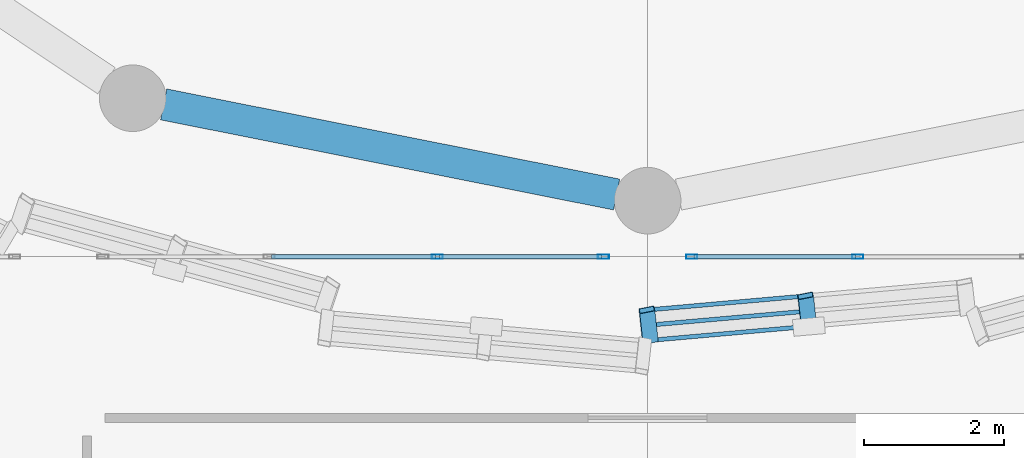
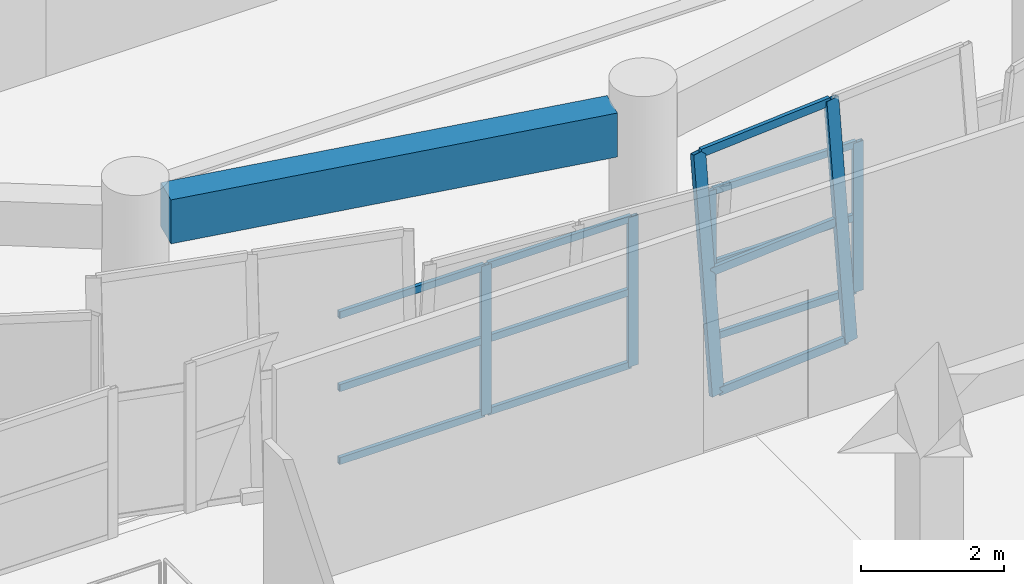
# One storey, part 24 of 71: 18 members, 1 beam, 3 elements without a shape of their own.
"""IFC4 building model written with IfcOpenShell, lengths in metres."""

from ifc_helpers import new_model, si_unit, direction, frame, origin, origin_2d, place, context, subcontext, project, spatial, rectangle, hollow_rectangle, extrude, material, material_profile, profile_set, type_object, element, aggregate, save


model = new_model("IFC4")

# Units and contexts
model_context = context("Model", 3, precision=1e-05, world=origin(), true_north=direction((0.0, 1.0)))
body_context = subcontext(model_context, "Body", "Model", "MODEL_VIEW")
ifc_project = project(units=[si_unit("LENGTHUNIT", "METRE"), si_unit("AREAUNIT", "SQUARE_METRE"), si_unit("VOLUMEUNIT", "CUBIC_METRE"), si_unit("PLANEANGLEUNIT", "RADIAN"), si_unit("MASSUNIT", "GRAM", prefix="KILO")], contexts=[model_context])

# Site, building, storey
site_placement = place(None, origin())
site = spatial("IfcSite", under=ifc_project, at=site_placement, CompositionType="ELEMENT")
building_placement = place(site_placement, origin())
building = spatial("IfcBuilding", under=site, at=building_placement, Name="Korsvaeld Concert Hall", CompositionType="ELEMENT")
storey_placement = place(building_placement, frame((0.0, 0.0, 4.800048828125)))
storey = spatial("IfcBuildingStorey", under=building, at=storey_placement, Name="L01", CompositionType="ELEMENT", Elevation=4.800048828125)

# Beam
ifc_material_1 = material(Name="Concrete C35/45", Category="concrete")
ifc_material_profile_1 = material_profile(ifc_material_1, rectangle(XDim=0.449951171875, YDim=0.75, at=origin_2d()), Name="RC 450x750")
ifc_profile_set_1 = profile_set([ifc_material_profile_1], Name="Concrete C35/45")
beam_type = type_object("IfcBeamType", Name="BM-RC-450x750", PredefinedType="T_BEAM", material=ifc_profile_set_1)
beam_placement = place(storey_placement, frame((77.093994140625, 45.373779296875, 3.46484375), z_axis=(0.980785284484, -0.195090301499, 0.0), x_axis=(0.195090301499, 0.980785284484, 0.0)))
element("IfcBeam", 1, at=beam_placement, inside=storey, type_object=beam_type, Name="Drum ring floor girder L01 12", PredefinedType="T_BEAM", context=body_context, shape_type="SweptSolid", body=[
    extrude(rectangle(XDim=0.449951171875, YDim=0.75, at=origin_2d()), origin(), (0.0, 0.0, 1.0), 6.59130859375),
])

# Curtain wall, members
ifc_material_2 = material(Name="Anodised bronze and ceramic-fritted safety glass", Category="glass")
curtain_wall_type_1 = type_object("IfcCurtainWallType", Name="CW-TYPE-11", PredefinedType="USERDEFINED", material=ifc_material_2)
curtain_wall_1_placement = place(storey_placement, origin())
curtain_wall_1 = element("IfcCurtainWall", 2, at=curtain_wall_1_placement, inside=storey, type_object=curtain_wall_type_1, Name="Glazed foyer acoustic screen L01-27", ObjectType="CURTAIN WALL", PredefinedType="USERDEFINED")
ifc_material_3 = material(Name="Anodised architectural bronze aluminium", Category="aluminium")
ifc_material_profile_2 = material_profile(ifc_material_3, hollow_rectangle(XDim=0.06005859375, YDim=0.159912109375, WallThickness=0.00390625, at=origin_2d()), Name="CWM 160x60x4")
ifc_profile_set_2 = profile_set([ifc_material_profile_2], Name="Anodised architectural bronze aluminium")
member_type_1 = type_object("IfcMemberType", Name="CWM-ALUM-160x60", PredefinedType="MULLION", material=ifc_profile_set_2)
member_1_placement = place(storey_placement, frame((81.0, 43.199951171875, 0.0), z_axis=(0.0, 0.0, 1.0), x_axis=(0.0, 1.0, 0.0)))
member_1 = element("IfcMember", 3, at=member_1_placement, type_object=member_type_1, Name="CW-11 mullion 3", PredefinedType="MULLION", context=body_context, shape_type="SweptSolid", body=[
    extrude(hollow_rectangle(XDim=0.06005859375, YDim=0.159912109375, WallThickness=0.00390625, at=origin_2d()), origin(), (0.0, 0.0, 1.0), 2.550048828125),
])
member_2_placement = place(storey_placement, frame((83.3701171875, 43.199951171875, 0.0), z_axis=(0.0, 0.0, 1.0), x_axis=(0.0, 1.0, 0.0)))
member_2 = element("IfcMember", 4, at=member_2_placement, type_object=member_type_1, Name="CW-11 mullion 4", PredefinedType="MULLION", context=body_context, shape_type="SweptSolid", body=[
    extrude(hollow_rectangle(XDim=0.06005859375, YDim=0.159912109375, WallThickness=0.00390625, at=origin_2d()), origin(), (0.0, 0.0, 1.0), 2.550048828125),
])

curtain_wall_type_2 = type_object("IfcCurtainWallType", Name="CW-TYPE-12", PredefinedType="USERDEFINED", material=ifc_material_2)
curtain_wall_2_placement = place(storey_placement, origin())
curtain_wall_2 = element("IfcCurtainWall", 5, at=curtain_wall_2_placement, inside=storey, type_object=curtain_wall_type_2, Name="Glazed foyer acoustic screen L01-28", ObjectType="CURTAIN WALL", PredefinedType="USERDEFINED")
member_3_placement = place(storey_placement, frame((84.6298828125, 43.199951171875, 0.0), z_axis=(0.0, 0.0, 1.0), x_axis=(0.0, 1.0, 0.0)))
member_3 = element("IfcMember", 6, at=member_3_placement, type_object=member_type_1, Name="CW-12 mullion 1", PredefinedType="MULLION", context=body_context, shape_type="SweptSolid", body=[
    extrude(hollow_rectangle(XDim=0.06005859375, YDim=0.159912109375, WallThickness=0.00390625, at=origin_2d()), origin(), (0.0, 0.0, 1.0), 2.550048828125),
])
member_4_placement = place(storey_placement, frame((87.0, 43.199951171875, 0.0), z_axis=(0.0, 0.0, 1.0), x_axis=(0.0, 1.0, 0.0)))
member_4 = element("IfcMember", 7, at=member_4_placement, type_object=member_type_1, Name="CW-12 mullion 2", PredefinedType="MULLION", context=body_context, shape_type="SweptSolid", body=[
    extrude(hollow_rectangle(XDim=0.06005859375, YDim=0.159912109375, WallThickness=0.00390625, at=origin_2d()), origin(), (0.0, 0.0, 1.0), 2.550048828125),
])

curtain_wall_type_3 = type_object("IfcCurtainWallType", Name="CW-TYPE-01", PredefinedType="USERDEFINED", material=ifc_material_2)
curtain_wall_3_placement = place(storey_placement, origin())
curtain_wall_3 = element("IfcCurtainWall", 8, at=curtain_wall_3_placement, inside=storey, type_object=curtain_wall_type_3, Name="Crystal curtain-wall facet L01 F25", ObjectType="CURTAIN WALL", PredefinedType="USERDEFINED")
ifc_material_profile_3 = material_profile(ifc_material_3, hollow_rectangle(XDim=0.074951171875, YDim=0.219970703125, WallThickness=0.006103515625, at=origin_2d()), Name="CWM 220x75x6")
ifc_profile_set_3 = profile_set([ifc_material_profile_3], Name="Anodised architectural bronze aluminium")
member_type_2 = type_object("IfcMemberType", Name="CWM-BRONZE-220x75", PredefinedType="MULLION", material=ifc_profile_set_3)
member_5_placement = place(storey_placement, frame((84.037353515625, 42.00341796875, 0.0), z_axis=(-0.012316569133, 0.112474659242, 0.993578257186), x_axis=(0.195352766752, -0.974235346506, 0.112706637517)))
member_5 = element("IfcMember", 9, at=member_5_placement, type_object=member_type_2, Name="CW-CRYS-L01-F25 crystal mullion 1", PredefinedType="MULLION", context=body_context, shape_type="SweptSolid", body=[
    extrude(hollow_rectangle(XDim=0.074951171875, YDim=0.219970703125, WallThickness=0.006103515625, at=origin_2d()), origin(), (0.0, 0.0, 1.0), 3.905029296875),
])
member_6_placement = place(storey_placement, frame((86.302001953125, 42.20361328125, 0.0), z_axis=(-0.0123164825, 0.112536388326, 0.993571268486), x_axis=(0.195293442092, -0.974240168355, 0.11276775177)))
member_6 = element("IfcMember", 10, at=member_6_placement, type_object=member_type_2, Name="CW-CRYS-L01-F25 crystal mullion 2", PredefinedType="MULLION", context=body_context, shape_type="SweptSolid", body=[
    extrude(hollow_rectangle(XDim=0.074951171875, YDim=0.219970703125, WallThickness=0.006103515625, at=origin_2d()), origin(), (0.0, 0.0, 1.0), 3.905029296875),
])

# Member
ifc_material_profile_4 = material_profile(ifc_material_3, hollow_rectangle(XDim=0.06005859375, YDim=0.1201171875, WallThickness=0.00390625, at=origin_2d()), Name="CWT 120x60x4")
ifc_profile_set_4 = profile_set([ifc_material_profile_4], Name="Anodised architectural bronze aluminium")
member_type_3 = type_object("IfcMemberType", Name="CWT-ALUM-120x60", PredefinedType="USERDEFINED", material=ifc_profile_set_4)
member_7_placement = place(storey_placement, frame((78.6298828125, 43.199951171875, 0.030029296875), z_axis=(1.0, 0.0, 0.0), x_axis=(0.0, 1.0, 0.0)))
member_7 = element("IfcMember", 11, at=member_7_placement, type_object=member_type_3, Name="CW-11 transom 2.1", ObjectType="TRANSOM", PredefinedType="USERDEFINED", context=body_context, shape_type="SweptSolid", body=[
    extrude(hollow_rectangle(XDim=0.06005859375, YDim=0.1201171875, WallThickness=0.00390625, at=origin_2d()), origin(), (0.0, 0.0, 1.0), 2.340087890625),
])

member_8_placement = place(storey_placement, frame((78.6298828125, 43.199951171875, 1.27490234375), z_axis=(1.0, 0.0, 0.0), x_axis=(0.0, 1.0, 0.0)))
member_8 = element("IfcMember", 12, at=member_8_placement, type_object=member_type_3, Name="CW-11 transom 2.2", ObjectType="TRANSOM", PredefinedType="USERDEFINED", context=body_context, shape_type="SweptSolid", body=[
    extrude(hollow_rectangle(XDim=0.06005859375, YDim=0.1201171875, WallThickness=0.00390625, at=origin_2d()), origin(), (0.0, 0.0, 1.0), 2.340087890625),
])

member_9_placement = place(storey_placement, frame((78.6298828125, 43.199951171875, 2.52001953125), z_axis=(1.0, 0.0, 0.0), x_axis=(0.0, 1.0, 0.0)))
member_9 = element("IfcMember", 13, at=member_9_placement, type_object=member_type_3, Name="CW-11 transom 2.3", ObjectType="TRANSOM", PredefinedType="USERDEFINED", context=body_context, shape_type="SweptSolid", body=[
    extrude(hollow_rectangle(XDim=0.06005859375, YDim=0.1201171875, WallThickness=0.00390625, at=origin_2d()), origin(), (0.0, 0.0, 1.0), 2.340087890625),
])

member_10_placement = place(storey_placement, frame((81.030029296875, 43.199951171875, 0.030029296875), z_axis=(1.0, 0.0, 0.0), x_axis=(0.0, 1.0, 0.0)))
member_10 = element("IfcMember", 14, at=member_10_placement, type_object=member_type_3, Name="CW-11 transom 3.1", ObjectType="TRANSOM", PredefinedType="USERDEFINED", context=body_context, shape_type="SweptSolid", body=[
    extrude(hollow_rectangle(XDim=0.06005859375, YDim=0.1201171875, WallThickness=0.00390625, at=origin_2d()), origin(), (0.0, 0.0, 1.0), 2.31005859375),
])

member_11_placement = place(storey_placement, frame((81.030029296875, 43.199951171875, 1.27490234375), z_axis=(1.0, 0.0, 0.0), x_axis=(0.0, 1.0, 0.0)))
member_11 = element("IfcMember", 15, at=member_11_placement, type_object=member_type_3, Name="CW-11 transom 3.2", ObjectType="TRANSOM", PredefinedType="USERDEFINED", context=body_context, shape_type="SweptSolid", body=[
    extrude(hollow_rectangle(XDim=0.06005859375, YDim=0.1201171875, WallThickness=0.00390625, at=origin_2d()), origin(), (0.0, 0.0, 1.0), 2.31005859375),
])

member_12_placement = place(storey_placement, frame((81.030029296875, 43.199951171875, 2.52001953125), z_axis=(1.0, 0.0, 0.0), x_axis=(0.0, 1.0, 0.0)))
member_12 = element("IfcMember", 16, at=member_12_placement, type_object=member_type_3, Name="CW-11 transom 3.3", ObjectType="TRANSOM", PredefinedType="USERDEFINED", context=body_context, shape_type="SweptSolid", body=[
    extrude(hollow_rectangle(XDim=0.06005859375, YDim=0.1201171875, WallThickness=0.00390625, at=origin_2d()), origin(), (0.0, 0.0, 1.0), 2.31005859375),
])

aggregate(curtain_wall_1, [member_1, member_2, member_7, member_8, member_9, member_10, member_11, member_12])

member_13_placement = place(storey_placement, frame((84.659912109375, 43.199951171875, 0.030029296875), z_axis=(1.0, 0.0, 0.0), x_axis=(0.0, 1.0, 0.0)))
member_13 = element("IfcMember", 17, at=member_13_placement, type_object=member_type_3, Name="CW-12 transom 1.1", ObjectType="TRANSOM", PredefinedType="USERDEFINED", context=body_context, shape_type="SweptSolid", body=[
    extrude(hollow_rectangle(XDim=0.06005859375, YDim=0.1201171875, WallThickness=0.00390625, at=origin_2d()), origin(), (0.0, 0.0, 1.0), 2.31005859375),
])

member_14_placement = place(storey_placement, frame((84.659912109375, 43.199951171875, 1.27490234375), z_axis=(1.0, 0.0, 0.0), x_axis=(0.0, 1.0, 0.0)))
member_14 = element("IfcMember", 18, at=member_14_placement, type_object=member_type_3, Name="CW-12 transom 1.2", ObjectType="TRANSOM", PredefinedType="USERDEFINED", context=body_context, shape_type="SweptSolid", body=[
    extrude(hollow_rectangle(XDim=0.06005859375, YDim=0.1201171875, WallThickness=0.00390625, at=origin_2d()), origin(), (0.0, 0.0, 1.0), 2.31005859375),
])

member_15_placement = place(storey_placement, frame((84.659912109375, 43.199951171875, 2.52001953125), z_axis=(1.0, 0.0, 0.0), x_axis=(0.0, 1.0, 0.0)))
member_15 = element("IfcMember", 19, at=member_15_placement, type_object=member_type_3, Name="CW-12 transom 1.3", ObjectType="TRANSOM", PredefinedType="USERDEFINED", context=body_context, shape_type="SweptSolid", body=[
    extrude(hollow_rectangle(XDim=0.06005859375, YDim=0.1201171875, WallThickness=0.00390625, at=origin_2d()), origin(), (0.0, 0.0, 1.0), 2.31005859375),
])

aggregate(curtain_wall_2, [member_3, member_4, member_13, member_14, member_15])

ifc_material_profile_5 = material_profile(ifc_material_3, hollow_rectangle(XDim=0.06005859375, YDim=0.139892578125, WallThickness=0.00390625, at=origin_2d()), Name="CWT 140x60x4")
ifc_profile_set_5 = profile_set([ifc_material_profile_5], Name="Anodised architectural bronze aluminium")
member_type_4 = type_object("IfcMemberType", Name="CWT-BRONZE-140x60", PredefinedType="USERDEFINED", material=ifc_profile_set_5)
member_16_placement = place(storey_placement, frame((84.07421875, 42.010009765625, 0.030029296875), z_axis=(0.996106081505, 0.088162772123, 0.0), x_axis=(-0.088162772123, 0.996106081505, 0.0)))
member_16 = element("IfcMember", 20, at=member_16_placement, type_object=member_type_4, Name="CW-CRYS-L01-F25 crystal transom 1.1", ObjectType="TRANSOM", PredefinedType="USERDEFINED", context=body_context, shape_type="SweptSolid", body=[
    extrude(hollow_rectangle(XDim=0.06005859375, YDim=0.139892578125, WallThickness=0.00390625, at=origin_2d()), origin(), (0.0, 0.0, 1.0), 2.19873046875),
])

member_17_placement = place(storey_placement, frame((84.050537109375, 42.226318359375, 1.93994140625), z_axis=(0.996106081505, 0.088162772123, 0.0), x_axis=(-0.088162772123, 0.996106081505, 0.0)))
member_17 = element("IfcMember", 21, at=member_17_placement, type_object=member_type_4, Name="CW-CRYS-L01-F25 crystal transom 1.2", ObjectType="TRANSOM", PredefinedType="USERDEFINED", context=body_context, shape_type="SweptSolid", body=[
    extrude(hollow_rectangle(XDim=0.06005859375, YDim=0.139892578125, WallThickness=0.00390625, at=origin_2d()), origin(), (0.0, 0.0, 1.0), 2.19873046875),
])

member_18_placement = place(storey_placement, frame((84.02685546875, 42.442626953125, 3.849853515625), z_axis=(0.996105218313, 0.088172524341, 0.0), x_axis=(-0.088172524341, 0.996105218313, 0.0)))
member_18 = element("IfcMember", 22, at=member_18_placement, type_object=member_type_4, Name="CW-CRYS-L01-F25 crystal transom 1.3", ObjectType="TRANSOM", PredefinedType="USERDEFINED", context=body_context, shape_type="SweptSolid", body=[
    extrude(hollow_rectangle(XDim=0.06005859375, YDim=0.139892578125, WallThickness=0.00390625, at=origin_2d()), origin(), (0.0, 0.0, 1.0), 2.198486328125),
])

aggregate(curtain_wall_3, [member_5, member_6, member_16, member_17, member_18])

save(model, "model.ifc")
